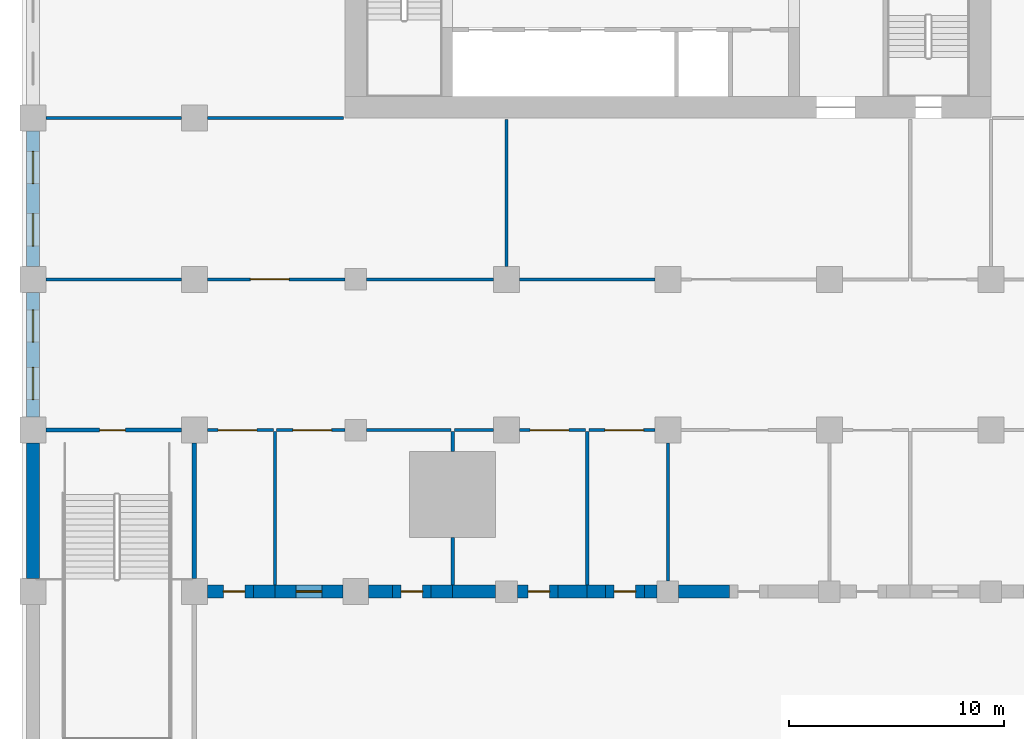
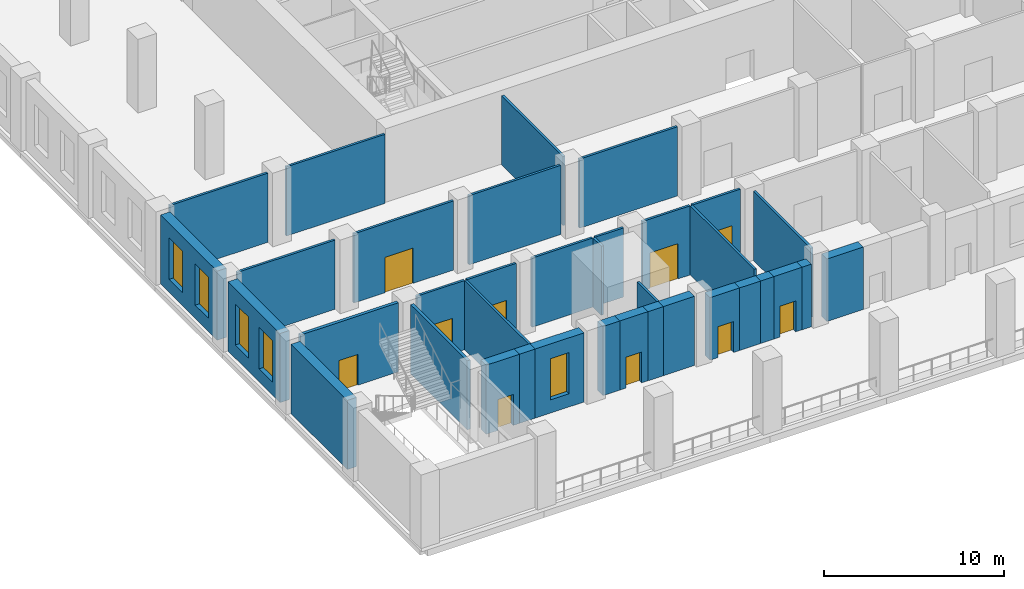
# One storey, part 3 of 22: 36 walls, 10 doors, 5 windows, 15 openings.
"""IFC4 building model written with IfcOpenShell, lengths in metres."""

from ifc_helpers import new_model, si_unit, direction, frame, frame_2d, origin, place, context, subcontext, project, spatial, rectangle, extrude, material, layer, layer_set, type_object, element, fill, save


model = new_model("IFC4")

# Units and contexts
model_context = context("Model", 3, precision=1e-05, world=origin(), true_north=direction((0.0, 1.0)))
body_context = subcontext(model_context, "Body", "Model", "MODEL_VIEW")
ifc_project = project(units=[si_unit("LENGTHUNIT", "METRE"), si_unit("AREAUNIT", "SQUARE_METRE"), si_unit("VOLUMEUNIT", "CUBIC_METRE"), si_unit("PLANEANGLEUNIT", "RADIAN"), si_unit("MASSUNIT", "GRAM", prefix="KILO")], contexts=[model_context])

# Site, building, storey
site_placement = place(None, origin())
site = spatial("IfcSite", under=ifc_project, at=site_placement, CompositionType="ELEMENT")
building_placement = place(site_placement, origin())
building = spatial("IfcBuilding", under=site, at=building_placement, Name="Tamorin Gate", CompositionType="ELEMENT")
storey_placement = place(building_placement, frame((0.0, 0.0, 29.0)))
storey = spatial("IfcBuildingStorey", under=building, at=storey_placement, Name="L05", CompositionType="ELEMENT", Elevation=29.0)

# Wall, opening, door
ifc_material_1 = material(Name="Concrete masonry C20/25", Category="masonry")
ifc_layer_1 = layer(ifc_material_1, 0.14990234375)
ifc_layer_set_1 = layer_set([ifc_layer_1], Name="Partition 150")
wall_type_1 = type_object("IfcWallType", Name="Partition 150", PredefinedType="PARTITIONING", material=ifc_layer_set_1)
wall_1_placement = place(storey_placement, frame((23.60009765625, 45.5, 0.0), z_axis=(0.0, 0.0, 1.0), x_axis=(1.0, 0.0, 0.0)))
wall_1 = element("IfcWall", 1, at=wall_1_placement, inside=storey, type_object=wall_type_1, Name="Partition 150 L05", PredefinedType="PARTITIONING", context=body_context, shape_type="SweptSolid", body=[
    extrude(rectangle(XDim=3.074951171875, YDim=0.14990234375, at=frame_2d((1.53759765625, 0.0))), origin(), (0.0, 0.0, 1.0), 4.699951171875),
])
opening_1_placement = place(wall_1_placement, frame((0.5, 0.0, 0.0)))
opening_1 = element("IfcOpeningElement", 2, at=opening_1_placement, cuts=wall_1, Name="Opening DP3", PredefinedType="OPENING", context=body_context, shape_type="SweptSolid", body=[
    extrude(rectangle(XDim=1.800048828125, YDim=2.39990234375, at=frame_2d((0.89990234375, 1.199951171875))), frame((0.0, 0.0849609375, 0.0), z_axis=(0.0, -1.0, 0.0), x_axis=(1.0, 0.0, 0.0)), (0.0, 0.0, 1.0), 0.169921875),
])
ifc_material_2 = material(Name="Steel and glass", Category="steel")
door_type_1 = type_object("IfcDoorType", Name="Door pair 1800", OperationType="DOUBLE_DOOR_SINGLE_SWING", PredefinedType="DOOR", material=ifc_material_2)
door_1_placement = place(opening_1_placement, origin())
door_1 = element("IfcDoor", 3, at=door_1_placement, inside=storey, type_object=door_type_1, Name="Door pair 1800 L05", OperationType="SINGLE_SWING_LEFT", OverallHeight=2.39990234375, OverallWidth=1.800048828125, PredefinedType="DOOR", context=body_context, shape_type="SweptSolid", body=[
    extrude(rectangle(XDim=1.800048828125, YDim=2.39990234375, at=frame_2d((0.89990234375, 1.199951171875))), frame((0.0, 0.02490234375, 0.0), z_axis=(0.0, -1.0, 0.0), x_axis=(1.0, 0.0, 0.0)), (0.0, 0.0, 1.0), 0.050048828125),
])
fill(opening_1, door_1)

wall_2_placement = place(storey_placement, frame((26.824951171875, 45.5, 0.0), z_axis=(0.0, 0.0, 1.0), x_axis=(1.0, 0.0, 0.0)))
wall_2 = element("IfcWall", 4, at=wall_2_placement, inside=storey, type_object=wall_type_1, Name="Partition 150 L05", PredefinedType="PARTITIONING", context=body_context, shape_type="SweptSolid", body=[
    extrude(rectangle(XDim=3.175048828125, YDim=0.14990234375, at=frame_2d((1.58740234375, 0.0))), origin(), (0.0, 0.0, 1.0), 4.699951171875),
])
opening_2_placement = place(wall_2_placement, frame((0.75, 0.0, 0.0)))
opening_2 = element("IfcOpeningElement", 5, at=opening_2_placement, cuts=wall_2, Name="Opening DP3", PredefinedType="OPENING", context=body_context, shape_type="SweptSolid", body=[
    extrude(rectangle(XDim=1.800048828125, YDim=2.39990234375, at=frame_2d((0.89990234375, 1.199951171875))), frame((0.0, 0.0849609375, 0.0), z_axis=(0.0, -1.0, 0.0), x_axis=(1.0, 0.0, 0.0)), (0.0, 0.0, 1.0), 0.169921875),
])
door_2_placement = place(opening_2_placement, origin())
door_2 = element("IfcDoor", 6, at=door_2_placement, inside=storey, type_object=door_type_1, Name="Door pair 1800 L05", OperationType="SINGLE_SWING_LEFT", OverallHeight=2.39990234375, OverallWidth=1.800048828125, PredefinedType="DOOR", context=body_context, shape_type="SweptSolid", body=[
    extrude(rectangle(XDim=1.800048828125, YDim=2.39990234375, at=frame_2d((0.89990234375, 1.199951171875))), frame((0.0, 0.02490234375, 0.0), z_axis=(0.0, -1.0, 0.0), x_axis=(1.0, 0.0, 0.0)), (0.0, 0.0, 1.0), 0.050048828125),
])
fill(opening_2, door_2)

# Walls
wall_3_placement = place(storey_placement, frame((31.0, 45.5, 0.0), z_axis=(0.0, 0.0, 1.0), x_axis=(1.0, 0.0, 0.0)))
element("IfcWall", 7, at=wall_3_placement, inside=storey, type_object=wall_type_1, Name="Partition 150 L05", PredefinedType="PARTITIONING", context=body_context, shape_type="SweptSolid", body=[
    extrude(rectangle(XDim=3.925048828125, YDim=0.14990234375, at=frame_2d((1.96240234375, 0.0))), origin(), (0.0, 0.0, 1.0), 4.699951171875),
])
wall_4_placement = place(storey_placement, frame((35.074951171875, 45.5, 0.0), z_axis=(0.0, 0.0, 1.0), x_axis=(1.0, 0.0, 0.0)))
element("IfcWall", 8, at=wall_4_placement, inside=storey, type_object=wall_type_1, Name="Partition 150 L05", PredefinedType="PARTITIONING", context=body_context, shape_type="SweptSolid", body=[
    extrude(rectangle(XDim=1.824951171875, YDim=0.14990234375, at=frame_2d((0.91259765625, 0.0))), origin(), (0.0, 0.0, 1.0), 4.699951171875),
])

# Wall, opening, door
wall_5_placement = place(storey_placement, frame((38.10009765625, 45.5, 0.0), z_axis=(0.0, 0.0, 1.0), x_axis=(1.0, 0.0, 0.0)))
wall_5 = element("IfcWall", 9, at=wall_5_placement, inside=storey, type_object=wall_type_1, Name="Partition 150 L05", PredefinedType="PARTITIONING", context=body_context, shape_type="SweptSolid", body=[
    extrude(rectangle(XDim=3.074951171875, YDim=0.14990234375, at=frame_2d((1.53759765625, 0.0))), origin(), (0.0, 0.0, 1.0), 4.699951171875),
])
opening_3_placement = place(wall_5_placement, frame((0.5, 0.0, 0.0)))
opening_3 = element("IfcOpeningElement", 10, at=opening_3_placement, cuts=wall_5, Name="Opening DP3", PredefinedType="OPENING", context=body_context, shape_type="SweptSolid", body=[
    extrude(rectangle(XDim=1.800048828125, YDim=2.39990234375, at=frame_2d((0.89990234375, 1.199951171875))), frame((0.0, 0.0849609375, 0.0), z_axis=(0.0, -1.0, 0.0), x_axis=(1.0, 0.0, 0.0)), (0.0, 0.0, 1.0), 0.169921875),
])
door_3_placement = place(opening_3_placement, origin())
door_3 = element("IfcDoor", 11, at=door_3_placement, inside=storey, type_object=door_type_1, Name="Door pair 1800 L05", OperationType="SINGLE_SWING_LEFT", OverallHeight=2.39990234375, OverallWidth=1.800048828125, PredefinedType="DOOR", context=body_context, shape_type="SweptSolid", body=[
    extrude(rectangle(XDim=1.800048828125, YDim=2.39990234375, at=frame_2d((0.89990234375, 1.199951171875))), frame((0.0, 0.02490234375, 0.0), z_axis=(0.0, -1.0, 0.0), x_axis=(1.0, 0.0, 0.0)), (0.0, 0.0, 1.0), 0.050048828125),
])
fill(opening_3, door_3)

wall_6_placement = place(storey_placement, frame((41.324951171875, 45.5, 0.0), z_axis=(0.0, 0.0, 1.0), x_axis=(1.0, 0.0, 0.0)))
wall_6 = element("IfcWall", 12, at=wall_6_placement, inside=storey, type_object=wall_type_1, Name="Partition 150 L05", PredefinedType="PARTITIONING", context=body_context, shape_type="SweptSolid", body=[
    extrude(rectangle(XDim=3.074951171875, YDim=0.14990234375, at=frame_2d((1.53759765625, 0.0))), origin(), (0.0, 0.0, 1.0), 4.699951171875),
])
opening_4_placement = place(wall_6_placement, frame((0.75, 0.0, 0.0)))
opening_4 = element("IfcOpeningElement", 13, at=opening_4_placement, cuts=wall_6, Name="Opening DP3", PredefinedType="OPENING", context=body_context, shape_type="SweptSolid", body=[
    extrude(rectangle(XDim=1.800048828125, YDim=2.39990234375, at=frame_2d((0.89990234375, 1.199951171875))), frame((0.0, 0.0849609375, 0.0), z_axis=(0.0, -1.0, 0.0), x_axis=(1.0, 0.0, 0.0)), (0.0, 0.0, 1.0), 0.169921875),
])
door_4_placement = place(opening_4_placement, origin())
door_4 = element("IfcDoor", 14, at=door_4_placement, inside=storey, type_object=door_type_1, Name="Door pair 1800 L05", OperationType="SINGLE_SWING_LEFT", OverallHeight=2.39990234375, OverallWidth=1.800048828125, PredefinedType="DOOR", context=body_context, shape_type="SweptSolid", body=[
    extrude(rectangle(XDim=1.800048828125, YDim=2.39990234375, at=frame_2d((0.89990234375, 1.199951171875))), frame((0.0, 0.02490234375, 0.0), z_axis=(0.0, -1.0, 0.0), x_axis=(1.0, 0.0, 0.0)), (0.0, 0.0, 1.0), 0.050048828125),
])
fill(opening_4, door_4)

# Wall
wall_7_placement = place(storey_placement, frame((16.10009765625, 52.5, 0.0), z_axis=(0.0, 0.0, 1.0), x_axis=(1.0, 0.0, 0.0)))
element("IfcWall", 15, at=wall_7_placement, inside=storey, type_object=wall_type_1, Name="Partition 150 L05", PredefinedType="PARTITIONING", context=body_context, shape_type="SweptSolid", body=[
    extrude(rectangle(XDim=6.2998046875, YDim=0.14990234375, at=frame_2d((3.14990234375, 0.0))), origin(), (0.0, 0.0, 1.0), 4.699951171875),
])

# Wall, opening, door
wall_8_placement = place(storey_placement, frame((30.0, 52.5, 0.0), z_axis=(0.0, 0.0, 1.0), x_axis=(-1.0, 0.0, 0.0)))
wall_8 = element("IfcWall", 16, at=wall_8_placement, inside=storey, type_object=wall_type_1, Name="Partition 150 L05", PredefinedType="PARTITIONING", context=body_context, shape_type="SweptSolid", body=[
    extrude(rectangle(XDim=6.39990234375, YDim=0.14990234375, at=frame_2d((3.199951171875, 0.0))), origin(), (0.0, 0.0, 1.0), 4.699951171875),
])
opening_5_placement = place(wall_8_placement, frame((2.60009765625, 0.0, 0.0)))
opening_5 = element("IfcOpeningElement", 17, at=opening_5_placement, cuts=wall_8, Name="Opening DP3", PredefinedType="OPENING", context=body_context, shape_type="SweptSolid", body=[
    extrude(rectangle(XDim=1.800048828125, YDim=2.39990234375, at=frame_2d((0.89990234375, 1.199951171875))), frame((0.0, 0.0849609375, 0.0), z_axis=(0.0, -1.0, 0.0), x_axis=(1.0, 0.0, 0.0)), (0.0, 0.0, 1.0), 0.169921875),
])
door_5_placement = place(opening_5_placement, origin())
door_5 = element("IfcDoor", 18, at=door_5_placement, inside=storey, type_object=door_type_1, Name="Door pair 1800 L05", OperationType="SINGLE_SWING_LEFT", OverallHeight=2.39990234375, OverallWidth=1.800048828125, PredefinedType="DOOR", context=body_context, shape_type="SweptSolid", body=[
    extrude(rectangle(XDim=1.800048828125, YDim=2.39990234375, at=frame_2d((0.89990234375, 1.199951171875))), frame((0.0, 0.02490234375, 0.0), z_axis=(0.0, -1.0, 0.0), x_axis=(1.0, 0.0, 0.0)), (0.0, 0.0, 1.0), 0.050048828125),
])
fill(opening_5, door_5)

# Walls
wall_9_placement = place(storey_placement, frame((31.0, 52.5, 0.0), z_axis=(0.0, 0.0, 1.0), x_axis=(1.0, 0.0, 0.0)))
element("IfcWall", 19, at=wall_9_placement, inside=storey, type_object=wall_type_1, Name="Partition 150 L05", PredefinedType="PARTITIONING", context=body_context, shape_type="SweptSolid", body=[
    extrude(rectangle(XDim=5.89990234375, YDim=0.14990234375, at=frame_2d((2.949951171875, 0.0))), origin(), (0.0, 0.0, 1.0), 4.699951171875),
])
for number, where, z_axis, x_axis, name in (
    (20, (38.10009765625, 52.5, 0.0), (0.0, 0.0, 1.0), (1.0, 0.0, 0.0), "Partition 150 L05"),
    (21, (16.10009765625, 60.0, 0.0), (0.0, 0.0, 1.0), (1.0, 0.0, 0.0), "Partition 150 L05"),
):
    element("IfcWall", number, at=place(storey_placement, frame(where, z_axis=z_axis, x_axis=x_axis)), inside=storey, type_object=wall_type_1, Name=name, PredefinedType="PARTITIONING", context=body_context, shape_type="SweptSolid", body=[
        extrude(rectangle(XDim=6.2998046875, YDim=0.14990234375, at=frame_2d((3.14990234375, 0.0))), origin(), (0.0, 0.0, 1.0), 4.699951171875),
    ])
wall_10_placement = place(storey_placement, frame((23.60009765625, 60.0, 0.0), z_axis=(0.0, 0.0, 1.0), x_axis=(1.0, 0.0, 0.0)))
element("IfcWall", 22, at=wall_10_placement, inside=storey, type_object=wall_type_1, Name="Partition 150 L05", PredefinedType="PARTITIONING", context=body_context, shape_type="SweptSolid", body=[
    extrude(rectangle(XDim=6.324951171875, YDim=0.14990234375, at=frame_2d((3.16259765625, 0.0))), origin(), (0.0, 0.0, 1.0), 4.699951171875),
])
wall_11_placement = place(storey_placement, frame((26.75, 38.300048828125, 0.0), z_axis=(0.0, 0.0, 1.0), x_axis=(0.0, 1.0, 0.0)))
element("IfcWall", 23, at=wall_11_placement, inside=storey, type_object=wall_type_1, Name="Partition 150 L05", PredefinedType="PARTITIONING", context=body_context, shape_type="SweptSolid", body=[
    extrude(rectangle(XDim=7.125, YDim=0.14990234375, at=frame_2d((3.5625, 0.0))), origin(), (0.0, 0.0, 1.0), 4.699951171875),
])
wall_12_placement = place(storey_placement, frame((35.0, 38.300048828125, 0.0), z_axis=(0.0, 0.0, 1.0), x_axis=(0.0, 1.0, 0.0)))
element("IfcWall", 24, at=wall_12_placement, inside=storey, type_object=wall_type_1, Name="Partition 150 L05", PredefinedType="PARTITIONING", context=body_context, shape_type="SweptSolid", body=[
    extrude(rectangle(XDim=2.199951171875, YDim=0.14990234375, at=frame_2d((1.10009765625, 0.0))), origin(), (0.0, 0.0, 1.0), 4.699951171875),
])
wall_13_placement = place(storey_placement, frame((35.0, 44.5, 0.0), z_axis=(0.0, 0.0, 1.0), x_axis=(0.0, 1.0, 0.0)))
element("IfcWall", 25, at=wall_13_placement, inside=storey, type_object=wall_type_1, Name="Partition 150 L05", PredefinedType="PARTITIONING", context=body_context, shape_type="SweptSolid", body=[
    extrude(rectangle(XDim=0.925048828125, YDim=0.14990234375, at=frame_2d((0.46240234375, 0.0))), origin(), (0.0, 0.0, 1.0), 4.699951171875),
])
wall_14_placement = place(storey_placement, frame((41.25, 38.300048828125, 0.0), z_axis=(0.0, 0.0, 1.0), x_axis=(0.0, 1.0, 0.0)))
element("IfcWall", 26, at=wall_14_placement, inside=storey, type_object=wall_type_1, Name="Partition 150 L05", PredefinedType="PARTITIONING", context=body_context, shape_type="SweptSolid", body=[
    extrude(rectangle(XDim=7.125, YDim=0.14990234375, at=frame_2d((3.5625, 0.0))), origin(), (0.0, 0.0, 1.0), 4.699951171875),
])
wall_15_placement = place(storey_placement, frame((45.0, 38.5, 0.0), z_axis=(0.0, 0.0, 1.0), x_axis=(0.0, 1.0, 0.0)))
element("IfcWall", 27, at=wall_15_placement, inside=storey, type_object=wall_type_1, Name="Partition 150 L05", PredefinedType="PARTITIONING", context=body_context, shape_type="SweptSolid", body=[
    extrude(rectangle(XDim=6.39990234375, YDim=0.14990234375, at=frame_2d((3.199951171875, 0.0))), origin(), (0.0, 0.0, 1.0), 4.699951171875),
])
wall_16_placement = place(storey_placement, frame((37.5, 53.10009765625, 0.0), z_axis=(0.0, 0.0, 1.0), x_axis=(0.0, 1.0, 0.0)))
element("IfcWall", 28, at=wall_16_placement, inside=storey, type_object=wall_type_1, Name="Partition 150 L05", PredefinedType="PARTITIONING", context=body_context, shape_type="SweptSolid", body=[
    extrude(rectangle(XDim=6.824951171875, YDim=0.14990234375, at=frame_2d((3.41259765625, 0.0))), origin(), (0.0, 0.0, 1.0), 4.699951171875),
])

# Wall, opening, door
ifc_material_3 = material(Name="Precast concrete C40/50", Category="concrete")
ifc_layer_2 = layer(ifc_material_3, 0.60009765625)
ifc_layer_set_2 = layer_set([ifc_layer_2], Name="Precast concrete C40/50")
wall_type_2 = type_object("IfcWallType", Name="Precast plinth wall 600", PredefinedType="PARTITIONING", material=ifc_layer_set_2)
wall_17_placement = place(storey_placement, frame((25.75, 38.0, 0.0), z_axis=(0.0, 0.0, 1.0), x_axis=(-1.0, 0.0, 0.0)))
wall_17 = element("IfcWall", 29, at=wall_17_placement, inside=storey, type_object=wall_type_2, Name="Precast plinth wall 600 L05", PredefinedType="PARTITIONING", context=body_context, shape_type="SweptSolid", body=[
    extrude(rectangle(XDim=2.14990234375, YDim=0.60009765625, at=frame_2d((1.074951171875, 0.0))), origin(), (0.0, 0.0, 1.0), 4.699951171875),
])
opening_6_placement = place(wall_17_placement, frame((0.39990234375, 0.0, 0.0)))
opening_6 = element("IfcOpeningElement", 30, at=opening_6_placement, cuts=wall_17, Name="Opening DP2", PredefinedType="OPENING", context=body_context, shape_type="SweptSolid", body=[
    extrude(rectangle(XDim=1.0, YDim=2.10009765625, at=frame_2d((0.5, 1.050048828125))), frame((0.0, 0.31005859375, 0.0), z_axis=(0.0, -1.0, 0.0), x_axis=(1.0, 0.0, 0.0)), (0.0, 0.0, 1.0), 0.6201171875),
])
ifc_material_4 = material(Name="Painted steel", Category="steel")
door_type_2 = type_object("IfcDoorType", Name="Door single 1000", OperationType="SINGLE_SWING_LEFT", PredefinedType="DOOR", material=ifc_material_4)
door_6_placement = place(opening_6_placement, origin())
door_6 = element("IfcDoor", 31, at=door_6_placement, inside=storey, type_object=door_type_2, Name="Door single 1000 L05", OperationType="SINGLE_SWING_LEFT", OverallHeight=2.10009765625, OverallWidth=1.0, PredefinedType="DOOR", context=body_context, shape_type="SweptSolid", body=[
    extrude(rectangle(XDim=1.0, YDim=2.10009765625, at=frame_2d((0.5, 1.050048828125))), frame((0.0, 0.02490234375, 0.0), z_axis=(0.0, -1.0, 0.0), x_axis=(1.0, 0.0, 0.0)), (0.0, 0.0, 1.0), 0.050048828125),
])
fill(opening_6, door_6)

# Wall
wall_18_placement = place(storey_placement, frame((25.75, 38.0, 0.0), z_axis=(0.0, 0.0, 1.0), x_axis=(1.0, 0.0, 0.0)))
element("IfcWall", 32, at=wall_18_placement, inside=storey, type_object=wall_type_2, Name="Precast plinth wall 600 L05", PredefinedType="PARTITIONING", context=body_context, shape_type="SweptSolid", body=[
    extrude(rectangle(XDim=1.0, YDim=0.60009765625, at=frame_2d((0.5, 0.0))), origin(), (0.0, 0.0, 1.0), 4.699951171875),
])

# Wall, opening, window
wall_19_placement = place(storey_placement, frame((26.75, 38.0, 0.0), z_axis=(0.0, 0.0, 1.0), x_axis=(1.0, 0.0, 0.0)))
wall_19 = element("IfcWall", 33, at=wall_19_placement, inside=storey, type_object=wall_type_2, Name="Precast plinth wall 600 L05", PredefinedType="PARTITIONING", context=body_context, shape_type="SweptSolid", body=[
    extrude(rectangle(XDim=3.14990234375, YDim=0.60009765625, at=frame_2d((1.574951171875, 0.0))), origin(), (0.0, 0.0, 1.0), 4.699951171875),
])
opening_7_placement = place(wall_19_placement, frame((0.97509765625, 0.0, 0.89990234375)))
opening_7 = element("IfcOpeningElement", 34, at=opening_7_placement, cuts=wall_19, Name="Opening PWN4", PredefinedType="OPENING", context=body_context, shape_type="SweptSolid", body=[
    extrude(rectangle(XDim=1.199951171875, YDim=2.800048828125, at=frame_2d((0.60009765625, 1.39990234375))), frame((0.0, 0.31005859375, 0.0), z_axis=(0.0, -1.0, 0.0), x_axis=(1.0, 0.0, 0.0)), (0.0, 0.0, 1.0), 0.6201171875),
])
ifc_material_5 = material(Name="Aluminium and glass", Category="aluminium")
window_type_1 = type_object("IfcWindowType", Name="Plinth window 1200x2800", PartitioningType="DOUBLE_PANEL_VERTICAL", PredefinedType="WINDOW", material=ifc_material_5)
window_1_placement = place(opening_7_placement, origin())
window_1 = element("IfcWindow", 35, at=window_1_placement, inside=storey, type_object=window_type_1, Name="Plinth window 1200x2800", OverallHeight=2.800048828125, OverallWidth=1.199951171875, PartitioningType="SINGLE_PANEL", PredefinedType="WINDOW", context=body_context, shape_type="SweptSolid", body=[
    extrude(rectangle(XDim=1.199951171875, YDim=2.800048828125, at=frame_2d((0.60009765625, 1.39990234375))), frame((0.0, 0.030029296875, 0.0), z_axis=(0.0, -1.0, 0.0), x_axis=(1.0, 0.0, 0.0)), (0.0, 0.0, 1.0), 0.06005859375),
])
fill(opening_7, window_1)

# Wall, opening, door
wall_20_placement = place(storey_placement, frame((34.0, 38.0, 0.0), z_axis=(0.0, 0.0, 1.0), x_axis=(-1.0, 0.0, 0.0)))
wall_20 = element("IfcWall", 36, at=wall_20_placement, inside=storey, type_object=wall_type_2, Name="Precast plinth wall 600 L05", PredefinedType="PARTITIONING", context=body_context, shape_type="SweptSolid", body=[
    extrude(rectangle(XDim=1.800048828125, YDim=0.60009765625, at=frame_2d((0.89990234375, 0.0))), origin(), (0.0, 0.0, 1.0), 4.699951171875),
])
opening_8_placement = place(wall_20_placement, frame((0.39990234375, 0.0, 0.0)))
opening_8 = element("IfcOpeningElement", 37, at=opening_8_placement, cuts=wall_20, Name="Opening DP2", PredefinedType="OPENING", context=body_context, shape_type="SweptSolid", body=[
    extrude(rectangle(XDim=1.0, YDim=2.10009765625, at=frame_2d((0.5, 1.050048828125))), frame((0.0, 0.31005859375, 0.0), z_axis=(0.0, -1.0, 0.0), x_axis=(1.0, 0.0, 0.0)), (0.0, 0.0, 1.0), 0.6201171875),
])
door_7_placement = place(opening_8_placement, origin())
door_7 = element("IfcDoor", 38, at=door_7_placement, inside=storey, type_object=door_type_2, Name="Door single 1000 L05", OperationType="SINGLE_SWING_LEFT", OverallHeight=2.10009765625, OverallWidth=1.0, PredefinedType="DOOR", context=body_context, shape_type="SweptSolid", body=[
    extrude(rectangle(XDim=1.0, YDim=2.10009765625, at=frame_2d((0.5, 1.050048828125))), frame((0.0, 0.02490234375, 0.0), z_axis=(0.0, -1.0, 0.0), x_axis=(1.0, 0.0, 0.0)), (0.0, 0.0, 1.0), 0.050048828125),
])
fill(opening_8, door_7)

# Walls
wall_21_placement = place(storey_placement, frame((31.10009765625, 38.0, 0.0), z_axis=(0.0, 0.0, 1.0), x_axis=(1.0, 0.0, 0.0)))
element("IfcWall", 39, at=wall_21_placement, inside=storey, type_object=wall_type_2, Name="Precast plinth wall 600 L05", PredefinedType="PARTITIONING", context=body_context, shape_type="SweptSolid", body=[
    extrude(rectangle(XDim=1.099853515625, YDim=0.60009765625, at=frame_2d((0.5498046875, 0.0))), origin(), (0.0, 0.0, 1.0), 4.699951171875),
])
wall_22_placement = place(storey_placement, frame((34.0, 38.0, 0.0), z_axis=(0.0, 0.0, 1.0), x_axis=(1.0, 0.0, 0.0)))
element("IfcWall", 40, at=wall_22_placement, inside=storey, type_object=wall_type_2, Name="Precast plinth wall 600 L05", PredefinedType="PARTITIONING", context=body_context, shape_type="SweptSolid", body=[
    extrude(rectangle(XDim=1.0, YDim=0.60009765625, at=frame_2d((0.5, 0.0))), origin(), (0.0, 0.0, 1.0), 4.699951171875),
])
wall_23_placement = place(storey_placement, frame((35.0, 38.0, 0.0), z_axis=(0.0, 0.0, 1.0), x_axis=(1.0, 0.0, 0.0)))
element("IfcWall", 41, at=wall_23_placement, inside=storey, type_object=wall_type_2, Name="Precast plinth wall 600 L05", PredefinedType="PARTITIONING", context=body_context, shape_type="SweptSolid", body=[
    extrude(rectangle(XDim=2.0, YDim=0.60009765625, at=frame_2d((1.0, 0.0))), origin(), (0.0, 0.0, 1.0), 4.699951171875),
])

# Wall, opening, door
wall_24_placement = place(storey_placement, frame((39.89990234375, 38.0, 0.0), z_axis=(0.0, 0.0, 1.0), x_axis=(-1.0, 0.0, 0.0)))
wall_24 = element("IfcWall", 42, at=wall_24_placement, inside=storey, type_object=wall_type_2, Name="Precast plinth wall 600 L05", PredefinedType="PARTITIONING", context=body_context, shape_type="SweptSolid", body=[
    extrude(rectangle(XDim=1.89990234375, YDim=0.60009765625, at=frame_2d((0.949951171875, 0.0))), origin(), (0.0, 0.0, 1.0), 4.25),
])
opening_9_placement = place(wall_24_placement, frame((0.39990234375, 0.0, 0.0)))
opening_9 = element("IfcOpeningElement", 43, at=opening_9_placement, cuts=wall_24, Name="Opening DP2", PredefinedType="OPENING", context=body_context, shape_type="SweptSolid", body=[
    extrude(rectangle(XDim=1.0, YDim=2.10009765625, at=frame_2d((0.5, 1.050048828125))), frame((0.0, 0.31005859375, 0.0), z_axis=(0.0, -1.0, 0.0), x_axis=(1.0, 0.0, 0.0)), (0.0, 0.0, 1.0), 0.6201171875),
])
door_8_placement = place(opening_9_placement, origin())
door_8 = element("IfcDoor", 44, at=door_8_placement, inside=storey, type_object=door_type_2, Name="Door single 1000 L05", OperationType="SINGLE_SWING_LEFT", OverallHeight=2.10009765625, OverallWidth=1.0, PredefinedType="DOOR", context=body_context, shape_type="SweptSolid", body=[
    extrude(rectangle(XDim=1.0, YDim=2.10009765625, at=frame_2d((0.5, 1.050048828125))), frame((0.0, 0.02490234375, 0.0), z_axis=(0.0, -1.0, 0.0), x_axis=(1.0, 0.0, 0.0)), (0.0, 0.0, 1.0), 0.050048828125),
])
fill(opening_9, door_8)

# Wall
wall_25_placement = place(storey_placement, frame((39.89990234375, 38.0, 0.0), z_axis=(0.0, 0.0, 1.0), x_axis=(1.0, 0.0, 0.0)))
element("IfcWall", 45, at=wall_25_placement, inside=storey, type_object=wall_type_2, Name="Precast plinth wall 600 L05", PredefinedType="PARTITIONING", context=body_context, shape_type="SweptSolid", body=[
    extrude(rectangle(XDim=1.35009765625, YDim=0.60009765625, at=frame_2d((0.675048828125, 0.0))), origin(), (0.0, 0.0, 1.0), 4.25),
])

# Wall, opening, door
wall_26_placement = place(storey_placement, frame((43.89990234375, 38.0, 0.0), z_axis=(0.0, 0.0, 1.0), x_axis=(-1.0, 0.0, 0.0)))
wall_26 = element("IfcWall", 46, at=wall_26_placement, inside=storey, type_object=wall_type_2, Name="Precast plinth wall 600 L05", PredefinedType="PARTITIONING", context=body_context, shape_type="SweptSolid", body=[
    extrude(rectangle(XDim=1.7998046875, YDim=0.60009765625, at=frame_2d((0.89990234375, 0.0))), origin(), (0.0, 0.0, 1.0), 4.25),
])
opening_10_placement = place(wall_26_placement, frame((0.39990234375, 0.0, 0.0)))
opening_10 = element("IfcOpeningElement", 47, at=opening_10_placement, cuts=wall_26, Name="Opening DP2", PredefinedType="OPENING", context=body_context, shape_type="SweptSolid", body=[
    extrude(rectangle(XDim=1.0, YDim=2.10009765625, at=frame_2d((0.5, 1.050048828125))), frame((0.0, 0.31005859375, 0.0), z_axis=(0.0, -1.0, 0.0), x_axis=(1.0, 0.0, 0.0)), (0.0, 0.0, 1.0), 0.6201171875),
])
door_9_placement = place(opening_10_placement, origin())
door_9 = element("IfcDoor", 48, at=door_9_placement, inside=storey, type_object=door_type_2, Name="Door single 1000 L05", OperationType="SINGLE_SWING_LEFT", OverallHeight=2.10009765625, OverallWidth=1.0, PredefinedType="DOOR", context=body_context, shape_type="SweptSolid", body=[
    extrude(rectangle(XDim=1.0, YDim=2.10009765625, at=frame_2d((0.5, 1.050048828125))), frame((0.0, 0.02490234375, 0.0), z_axis=(0.0, -1.0, 0.0), x_axis=(1.0, 0.0, 0.0)), (0.0, 0.0, 1.0), 0.050048828125),
])
fill(opening_10, door_9)

# Walls
wall_27_placement = place(storey_placement, frame((41.25, 38.0, 0.0), z_axis=(0.0, 0.0, 1.0), x_axis=(1.0, 0.0, 0.0)))
element("IfcWall", 49, at=wall_27_placement, inside=storey, type_object=wall_type_2, Name="Precast plinth wall 600 L05", PredefinedType="PARTITIONING", context=body_context, shape_type="SweptSolid", body=[
    extrude(rectangle(XDim=0.85009765625, YDim=0.60009765625, at=frame_2d((0.425048828125, 0.0))), origin(), (0.0, 0.0, 1.0), 4.25),
])
wall_28_placement = place(storey_placement, frame((43.89990234375, 38.0, 0.0), z_axis=(0.0, 0.0, 1.0), x_axis=(1.0, 0.0, 0.0)))
element("IfcWall", 50, at=wall_28_placement, inside=storey, type_object=wall_type_2, Name="Precast plinth wall 600 L05", PredefinedType="PARTITIONING", context=body_context, shape_type="SweptSolid", body=[
    extrude(rectangle(XDim=0.60009765625, YDim=0.60009765625, at=frame_2d((0.300048828125, 0.0))), origin(), (0.0, 0.0, 1.0), 4.25),
])
wall_29_placement = place(storey_placement, frame((45.5, 38.0, 0.0), z_axis=(0.0, 0.0, 1.0), x_axis=(1.0, 0.0, 0.0)))
element("IfcWall", 51, at=wall_29_placement, inside=storey, type_object=wall_type_2, Name="Precast plinth wall 600 L05", PredefinedType="PARTITIONING", context=body_context, shape_type="SweptSolid", body=[
    extrude(rectangle(XDim=2.35009765625, YDim=0.60009765625, at=frame_2d((1.175048828125, 0.0))), origin(), (0.0, 0.0, 1.0), 4.25),
])
wall_30_placement = place(storey_placement, frame((15.5, 38.60009765625, 0.0), z_axis=(0.0, 0.0, 1.0), x_axis=(0.0, 1.0, 0.0)))
element("IfcWall", 52, at=wall_30_placement, inside=storey, type_object=wall_type_2, Name="Precast plinth wall 600 L05", PredefinedType="PARTITIONING", context=body_context, shape_type="SweptSolid", body=[
    extrude(rectangle(XDim=6.2998046875, YDim=0.60009765625, at=frame_2d((3.14990234375, 0.0))), origin(), (0.0, 0.0, 1.0), 4.699951171875),
])

# Wall, openings, windows
wall_31_placement = place(storey_placement, frame((15.5, 46.10009765625, 0.0), z_axis=(0.0, 0.0, 1.0), x_axis=(0.0, 1.0, 0.0)))
wall_31 = element("IfcWall", 53, at=wall_31_placement, inside=storey, type_object=wall_type_2, Name="Precast plinth wall 600 L05", PredefinedType="PARTITIONING", context=body_context, shape_type="SweptSolid", body=[
    extrude(rectangle(XDim=5.7998046875, YDim=0.60009765625, at=frame_2d((2.89990234375, 0.0))), origin(), (0.0, 0.0, 1.0), 4.699951171875),
])
opening_11_placement = place(wall_31_placement, frame((0.81591796875, 0.0, 0.89990234375)))
opening_11 = element("IfcOpeningElement", 54, at=opening_11_placement, cuts=wall_31, Name="Opening PWN5", PredefinedType="OPENING", context=body_context, shape_type="SweptSolid", body=[
    extrude(rectangle(XDim=1.5, YDim=2.800048828125, at=frame_2d((0.75, 1.39990234375))), frame((0.0, 0.31005859375, 0.0), z_axis=(0.0, -1.0, 0.0), x_axis=(1.0, 0.0, 0.0)), (0.0, 0.0, 1.0), 0.6201171875),
])
opening_12_placement = place(wall_31_placement, frame((3.48388671875, 0.0, 0.89990234375)))
opening_12 = element("IfcOpeningElement", 55, at=opening_12_placement, cuts=wall_31, Name="Opening PWN5", PredefinedType="OPENING", context=body_context, shape_type="SweptSolid", body=[
    extrude(rectangle(XDim=1.5, YDim=2.800048828125, at=frame_2d((0.75, 1.39990234375))), frame((0.0, 0.31005859375, 0.0), z_axis=(0.0, -1.0, 0.0), x_axis=(1.0, 0.0, 0.0)), (0.0, 0.0, 1.0), 0.6201171875),
])
window_type_2 = type_object("IfcWindowType", Name="Plinth window 1500x2800", PartitioningType="DOUBLE_PANEL_VERTICAL", PredefinedType="WINDOW", material=ifc_material_5)
window_2_placement = place(opening_11_placement, origin())
window_2 = element("IfcWindow", 56, at=window_2_placement, inside=storey, type_object=window_type_2, Name="Plinth window 1500x2800", OverallHeight=2.800048828125, OverallWidth=1.5, PartitioningType="SINGLE_PANEL", PredefinedType="WINDOW", context=body_context, shape_type="SweptSolid", body=[
    extrude(rectangle(XDim=1.5, YDim=2.800048828125, at=frame_2d((0.75, 1.39990234375))), frame((0.0, 0.030029296875, 0.0), z_axis=(0.0, -1.0, 0.0), x_axis=(1.0, 0.0, 0.0)), (0.0, 0.0, 1.0), 0.06005859375),
])
fill(opening_11, window_2)
window_3_placement = place(opening_12_placement, origin())
window_3 = element("IfcWindow", 57, at=window_3_placement, inside=storey, type_object=window_type_2, Name="Plinth window 1500x2800", OverallHeight=2.800048828125, OverallWidth=1.5, PartitioningType="SINGLE_PANEL", PredefinedType="WINDOW", context=body_context, shape_type="SweptSolid", body=[
    extrude(rectangle(XDim=1.5, YDim=2.800048828125, at=frame_2d((0.75, 1.39990234375))), frame((0.0, 0.030029296875, 0.0), z_axis=(0.0, -1.0, 0.0), x_axis=(1.0, 0.0, 0.0)), (0.0, 0.0, 1.0), 0.06005859375),
])
fill(opening_12, window_3)

wall_32_placement = place(storey_placement, frame((15.5, 53.10009765625, 0.0), z_axis=(0.0, 0.0, 1.0), x_axis=(0.0, 1.0, 0.0)))
wall_32 = element("IfcWall", 58, at=wall_32_placement, inside=storey, type_object=wall_type_2, Name="Precast plinth wall 600 L05", PredefinedType="PARTITIONING", context=body_context, shape_type="SweptSolid", body=[
    extrude(rectangle(XDim=6.2998046875, YDim=0.60009765625, at=frame_2d((3.14990234375, 0.0))), origin(), (0.0, 0.0, 1.0), 4.699951171875),
])
opening_13_placement = place(wall_32_placement, frame((0.950927734375, 0.0, 0.89990234375)))
opening_13 = element("IfcOpeningElement", 59, at=opening_13_placement, cuts=wall_32, Name="Opening PWN5", PredefinedType="OPENING", context=body_context, shape_type="SweptSolid", body=[
    extrude(rectangle(XDim=1.5, YDim=2.800048828125, at=frame_2d((0.75, 1.39990234375))), frame((0.0, 0.31005859375, 0.0), z_axis=(0.0, -1.0, 0.0), x_axis=(1.0, 0.0, 0.0)), (0.0, 0.0, 1.0), 0.6201171875),
])
opening_14_placement = place(wall_32_placement, frame((3.84912109375, 0.0, 0.89990234375)))
opening_14 = element("IfcOpeningElement", 60, at=opening_14_placement, cuts=wall_32, Name="Opening PWN5", PredefinedType="OPENING", context=body_context, shape_type="SweptSolid", body=[
    extrude(rectangle(XDim=1.5, YDim=2.800048828125, at=frame_2d((0.75, 1.39990234375))), frame((0.0, 0.31005859375, 0.0), z_axis=(0.0, -1.0, 0.0), x_axis=(1.0, 0.0, 0.0)), (0.0, 0.0, 1.0), 0.6201171875),
])
window_4_placement = place(opening_13_placement, origin())
window_4 = element("IfcWindow", 61, at=window_4_placement, inside=storey, type_object=window_type_2, Name="Plinth window 1500x2800", OverallHeight=2.800048828125, OverallWidth=1.5, PartitioningType="SINGLE_PANEL", PredefinedType="WINDOW", context=body_context, shape_type="SweptSolid", body=[
    extrude(rectangle(XDim=1.5, YDim=2.800048828125, at=frame_2d((0.75, 1.39990234375))), frame((0.0, 0.030029296875, 0.0), z_axis=(0.0, -1.0, 0.0), x_axis=(1.0, 0.0, 0.0)), (0.0, 0.0, 1.0), 0.06005859375),
])
fill(opening_13, window_4)
window_5_placement = place(opening_14_placement, origin())
window_5 = element("IfcWindow", 62, at=window_5_placement, inside=storey, type_object=window_type_2, Name="Plinth window 1500x2800", OverallHeight=2.800048828125, OverallWidth=1.5, PartitioningType="SINGLE_PANEL", PredefinedType="WINDOW", context=body_context, shape_type="SweptSolid", body=[
    extrude(rectangle(XDim=1.5, YDim=2.800048828125, at=frame_2d((0.75, 1.39990234375))), frame((0.0, 0.030029296875, 0.0), z_axis=(0.0, -1.0, 0.0), x_axis=(1.0, 0.0, 0.0)), (0.0, 0.0, 1.0), 0.06005859375),
])
fill(opening_14, window_5)

# Wall, opening, door
ifc_material_6 = material(Name="Concrete C40/50", Category="concrete")
ifc_layer_3 = layer(ifc_material_6, 0.199951171875)
ifc_layer_set_3 = layer_set([ifc_layer_3], Name="Stair enclosure 200")
wall_type_3 = type_object("IfcWallType", Name="Stair enclosure 200", PredefinedType="SHEAR", material=ifc_layer_set_3)
wall_33_placement = place(storey_placement, frame((22.39990234375, 45.5, 0.0), z_axis=(0.0, 0.0, 1.0), x_axis=(-1.0, 0.0, 0.0)))
wall_33 = element("IfcWall", 63, at=wall_33_placement, inside=storey, type_object=wall_type_3, Name="Stair enclosure 200 L05", PredefinedType="SHEAR", context=body_context, shape_type="SweptSolid", body=[
    extrude(rectangle(XDim=6.2998046875, YDim=0.199951171875, at=frame_2d((3.14990234375, 0.0))), origin(), (0.0, 0.0, 1.0), 4.699951171875),
])
opening_15_placement = place(wall_33_placement, frame((2.60009765625, 0.0, 0.0)))
opening_15 = element("IfcOpeningElement", 64, at=opening_15_placement, cuts=wall_33, Name="Opening DP5", PredefinedType="OPENING", context=body_context, shape_type="SweptSolid", body=[
    extrude(rectangle(XDim=1.199951171875, YDim=2.10009765625, at=frame_2d((0.60009765625, 1.050048828125))), frame((0.0, 0.10986328125, 0.0), z_axis=(0.0, -1.0, 0.0), x_axis=(1.0, 0.0, 0.0)), (0.0, 0.0, 1.0), 0.219970703125),
])
door_type_3 = type_object("IfcDoorType", Name="Stair door 1200", OperationType="SINGLE_SWING_LEFT", PredefinedType="DOOR", material=ifc_material_4)
door_10_placement = place(opening_15_placement, origin())
door_10 = element("IfcDoor", 65, at=door_10_placement, inside=storey, type_object=door_type_3, Name="Stair door 1200 L05", OperationType="SINGLE_SWING_LEFT", OverallHeight=2.10009765625, OverallWidth=1.199951171875, PredefinedType="DOOR", context=body_context, shape_type="SweptSolid", body=[
    extrude(rectangle(XDim=1.199951171875, YDim=2.10009765625, at=frame_2d((0.60009765625, 1.050048828125))), frame((0.0, 0.02490234375, 0.0), z_axis=(0.0, -1.0, 0.0), x_axis=(1.0, 0.0, 0.0)), (0.0, 0.0, 1.0), 0.050048828125),
])
fill(opening_15, door_10)

# Wall
wall_34_placement = place(storey_placement, frame((23.0, 38.60009765625, 0.0), z_axis=(0.0, 0.0, 1.0), x_axis=(0.0, 1.0, 0.0)))
element("IfcWall", 66, at=wall_34_placement, inside=storey, type_object=wall_type_3, Name="Stair enclosure 200 L05", PredefinedType="SHEAR", context=body_context, shape_type="SweptSolid", body=[
    extrude(rectangle(XDim=6.2998046875, YDim=0.199951171875, at=frame_2d((3.14990234375, 0.0))), origin(), (0.0, 0.0, 1.0), 4.699951171875),
])

save(model, "model.ifc")
